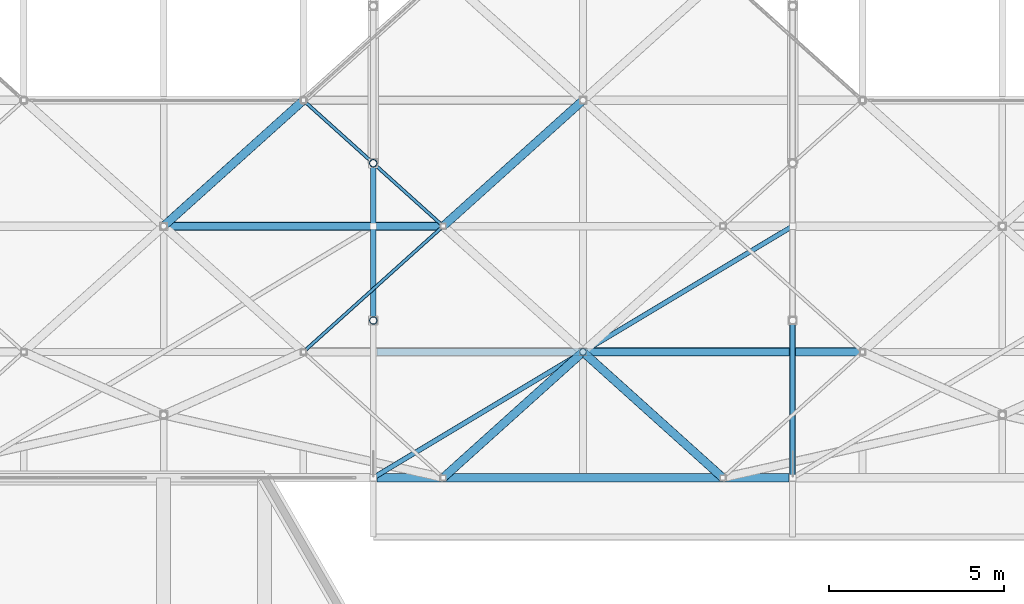
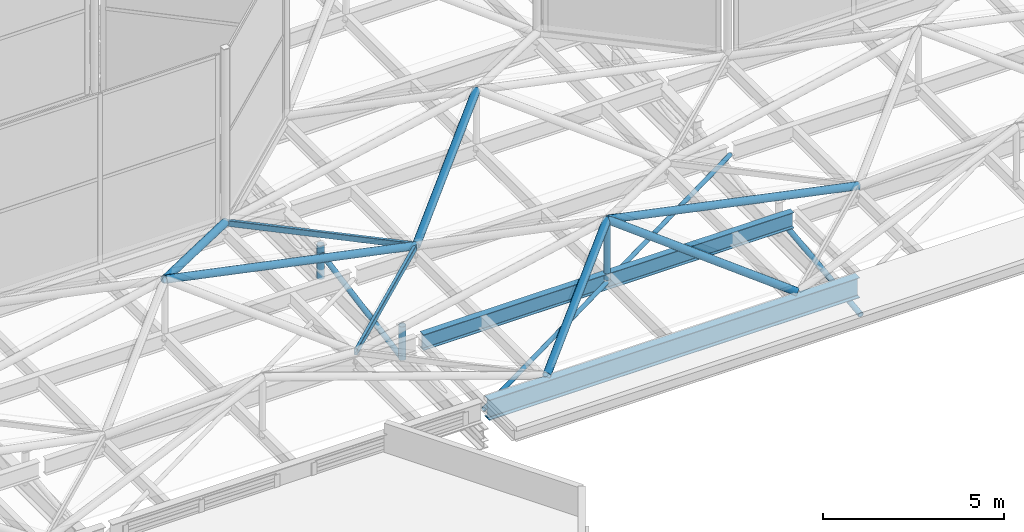
# One storey, part 18 of 239: 12 members, 4 beams.
"""IFC4 building model written with IfcOpenShell, lengths in metres."""

from ifc_helpers import new_model, si_unit, direction, frame, origin, origin_2d, place, context, subcontext, project, spatial, hollow_rectangle, hollow_circle, i_section, extrude, material, material_profile, profile_set, type_object, element, save


model = new_model("IFC4")

# Units and contexts
model_context = context("Model", 3, precision=1e-05, world=origin(), true_north=direction((0.0, 1.0)))
body_context = subcontext(model_context, "Body", "Model", "MODEL_VIEW")
ifc_project = project(units=[si_unit("LENGTHUNIT", "METRE"), si_unit("AREAUNIT", "SQUARE_METRE"), si_unit("VOLUMEUNIT", "CUBIC_METRE"), si_unit("PLANEANGLEUNIT", "RADIAN"), si_unit("MASSUNIT", "GRAM", prefix="KILO")], contexts=[model_context])

# Site, building, storey
site_placement = place(None, origin())
site = spatial("IfcSite", under=ifc_project, at=site_placement, CompositionType="ELEMENT")
building_placement = place(site_placement, origin())
building = spatial("IfcBuilding", under=site, at=building_placement, Name="Dunvalen Ferry Terminal", CompositionType="ELEMENT")
storey_placement = place(building_placement, frame((0.0, 0.0, 9.840087890625)))
storey = spatial("IfcBuildingStorey", under=building, at=storey_placement, Name="L02", CompositionType="ELEMENT", Elevation=9.840087890625)

# Beams
ifc_material = material(Name="Steel S355", Category="steel")
ifc_material_profile_1 = material_profile(ifc_material, hollow_rectangle(XDim=0.10009765625, YDim=0.199951171875, WallThickness=0.008056640625, InnerFilletRadius=0.008056640625, OuterFilletRadius=0.01611328125, at=origin_2d()), Name="Steel S355")
ifc_profile_set_1 = profile_set([ifc_material_profile_1], Name="Steel S355")
beam_type_1 = type_object("IfcBeamType", Name="STR-BM-RHS200", PredefinedType="BEAM", material=ifc_profile_set_1)
beam_1_placement = place(storey_placement, frame((34.0, 54.0, 1.099853515625), z_axis=(0.743285123004, 0.668974757313, 0.0), x_axis=(-0.668974757313, 0.743285123004, 0.0)))
element("IfcBeam", 1, at=beam_1_placement, inside=storey, type_object=beam_type_1, Name="HEX-13 Hexagonal Rim Beam 3", PredefinedType="BEAM", context=body_context, shape_type="SweptSolid", body=[
    extrude(hollow_rectangle(XDim=0.10009765625, YDim=0.199951171875, WallThickness=0.008056640625, InnerFilletRadius=0.008056640625, OuterFilletRadius=0.01611328125, at=origin_2d()), origin(), (0.0, 0.0, 1.0), 5.381591796875),
])
beam_2_placement = place(storey_placement, frame((38.0, 57.60009765625, 1.099853515625), z_axis=(-0.74330768127, 0.668949692402, 0.0), x_axis=(-0.668949692402, -0.74330768127, 0.0)))
element("IfcBeam", 2, at=beam_2_placement, inside=storey, type_object=beam_type_1, Name="HEX-13 Hexagonal Rim Beam 4", PredefinedType="BEAM", context=body_context, shape_type="SweptSolid", body=[
    extrude(hollow_rectangle(XDim=0.10009765625, YDim=0.199951171875, WallThickness=0.008056640625, InnerFilletRadius=0.008056640625, OuterFilletRadius=0.01611328125, at=origin_2d()), origin(), (0.0, 0.0, 1.0), 5.38134765625),
])
ifc_material_profile_2 = material_profile(ifc_material, i_section(OverallWidth=0.209228515625, OverallDepth=0.533203125, WebThickness=0.010009765625, FlangeThickness=0.015625, FilletRadius=0.0126953125, at=origin_2d()), Name="Steel S355")
ifc_profile_set_2 = profile_set([ifc_material_profile_2], Name="Steel S355")
beam_type_2 = type_object("IfcBeamType", Name="STR-BM-UKB533", PredefinedType="BEAM", material=ifc_profile_set_2)
beam_3_placement = place(storey_placement, frame((36.10009765625, 54.0, 0.7333984375), z_axis=(1.0, 0.0, 0.0), x_axis=(0.0, 1.0, 0.0)))
element("IfcBeam", 3, at=beam_3_placement, inside=storey, type_object=beam_type_2, Name="Departure Hall Spine Girder B3.02", PredefinedType="BEAM", context=body_context, shape_type="SweptSolid", body=[
    extrude(i_section(OverallWidth=0.209228515625, OverallDepth=0.533203125, WebThickness=0.010009765625, FlangeThickness=0.015625, FilletRadius=0.0126953125, at=origin_2d()), origin(), (0.0, 0.0, 1.0), 11.7998046875),
])
ifc_material_profile_3 = material_profile(ifc_material, i_section(OverallWidth=0.253662109375, OverallDepth=0.68359375, WebThickness=0.012451171875, FlangeThickness=0.01904296875, FilletRadius=0.01513671875, at=origin_2d()), Name="Steel S355")
ifc_profile_set_3 = profile_set([ifc_material_profile_3], Name="Steel S355")
beam_type_3 = type_object("IfcBeamType", Name="STR-BM-UKB686", PredefinedType="BEAM", material=ifc_profile_set_3)
beam_4_placement = place(storey_placement, frame((36.10009765625, 50.39990234375, 0.658203125), z_axis=(1.0, 0.0, 0.0), x_axis=(0.0, 1.0, 0.0)))
element("IfcBeam", 4, at=beam_4_placement, inside=storey, type_object=beam_type_3, Name="Departure Hall Spine Girder B3.01", PredefinedType="BEAM", context=body_context, shape_type="SweptSolid", body=[
    extrude(i_section(OverallWidth=0.253662109375, OverallDepth=0.68359375, WebThickness=0.012451171875, FlangeThickness=0.01904296875, FilletRadius=0.01513671875, at=origin_2d()), origin(), (0.0, 0.0, 1.0), 11.7998046875),
])

# Members
ifc_material_profile_4 = material_profile(ifc_material, hollow_circle(Radius=0.06982421875, WallThickness=0.00634765625, at=origin_2d()), Name="Steel S355")
ifc_profile_set_4 = profile_set([ifc_material_profile_4], Name="Steel S355")
member_type_1 = type_object("IfcMemberType", Name="STR-MB-CHS139", PredefinedType="BRACE", material=ifc_profile_set_4)
member_1_placement = place(storey_placement, frame((36.0, 50.39990234375, 0.659912109375), z_axis=(0.857486768376, 0.514506017516, 0.0), x_axis=(-0.514506017516, 0.857486768376, 0.0)))
element("IfcMember", 5, at=member_1_placement, inside=storey, type_object=member_type_1, Name="Departure Hall Roof Wind Brace 3A", PredefinedType="BRACE", context=body_context, shape_type="SweptSolid", body=[
    extrude(hollow_circle(Radius=0.06982421875, WallThickness=0.00634765625, at=origin_2d()), origin(), (0.0, 0.0, 1.0), 13.994384765625),
])
ifc_material_profile_5 = material_profile(ifc_material, hollow_circle(Radius=0.084228515625, WallThickness=0.008056640625, at=origin_2d()), Name="Steel S355")
ifc_profile_set_5 = profile_set([ifc_material_profile_5], Name="Steel S355")
member_type_2 = type_object("IfcMemberType", Name="STR-MB-CHS168", PredefinedType="BRACE", material=ifc_profile_set_5)
member_2_placement = place(storey_placement, frame((36.0, 54.89990234375, -0.360107421875), z_axis=(0.0, 0.983218272848, 0.18243307797), x_axis=(-1.0, 0.0, 0.0)))
element("IfcMember", 6, at=member_2_placement, inside=storey, type_object=member_type_2, Name="Departure Hall Arch Web Diagonal 03.2", PredefinedType="BRACE", context=body_context, shape_type="SweptSolid", body=[
    extrude(hollow_circle(Radius=0.084228515625, WallThickness=0.008056640625, at=origin_2d()), origin(), (0.0, 0.0, 1.0), 4.576904296875),
])
member_3_placement = place(storey_placement, frame((48.0, 50.39990234375, -0.360107421875), z_axis=(0.0, 0.993166043245, 0.116709941931), x_axis=(-1.0, 0.0, 0.0)))
element("IfcMember", 7, at=member_3_placement, inside=storey, type_object=member_type_2, Name="Departure Hall Arch Web Diagonal 04.1", PredefinedType="BRACE", context=body_context, shape_type="SweptSolid", body=[
    extrude(hollow_circle(Radius=0.084228515625, WallThickness=0.008056640625, at=origin_2d()), origin(), (0.0, 0.0, 1.0), 4.531005859375),
])
ifc_material_profile_6 = material_profile(ifc_material, hollow_circle(Radius=0.096923828125, WallThickness=0.008056640625, at=origin_2d()), Name="Steel S355")
ifc_profile_set_6 = profile_set([ifc_material_profile_6], Name="Steel S355")
member_type_3 = type_object("IfcMemberType", Name="STR-MB-CHS193", PredefinedType="STRUT", material=ifc_profile_set_6)
member_4_placement = place(storey_placement, frame((42.0, 54.0, 0.77001953125), z_axis=(0.0, 0.0, 1.0), x_axis=(1.0, 0.0, 0.0)))
element("IfcMember", 8, at=member_4_placement, inside=storey, type_object=member_type_3, Name="HEX-18 Pyramid Apex Strut", PredefinedType="STRUT", context=body_context, shape_type="SweptSolid", body=[
    extrude(hollow_circle(Radius=0.096923828125, WallThickness=0.008056640625, at=origin_2d()), origin(), (0.0, 0.0, 1.0), 1.994873046875),
])
ifc_material_profile_7 = material_profile(ifc_material, hollow_circle(Radius=0.109619140625, WallThickness=0.010009765625, at=origin_2d()), Name="Steel S355")
ifc_profile_set_7 = profile_set([ifc_material_profile_7], Name="Steel S355")
member_type_4 = type_object("IfcMemberType", Name="STR-MB-CHS219", PredefinedType="STRUT", material=ifc_profile_set_7)
for number, where, z_axis, x_axis, name in (
    (9, (36.0, 54.89990234375, -0.360107421875), (0.0, 0.0, 1.0), (1.0, 0.0, 0.0), "Departure Hall Arch Spandrel Strut 03.1"),
    (10, (36.0, 59.39990234375, -0.360107421875), (0.0, 0.0, 1.0), (1.0, 0.0, 0.0), "Departure Hall Arch Spandrel Strut 03.2"),
):
    element("IfcMember", number, at=place(storey_placement, frame(where, z_axis=z_axis, x_axis=x_axis)), inside=storey, type_object=member_type_4, Name=name, PredefinedType="STRUT", context=body_context, shape_type="SweptSolid", body=[
        extrude(hollow_circle(Radius=0.109619140625, WallThickness=0.010009765625, at=origin_2d()), origin(), (0.0, 0.0, 1.0), 1.130126953125),
    ])
ifc_material_profile_8 = material_profile(ifc_material, hollow_circle(Radius=0.122314453125, WallThickness=0.010009765625, at=origin_2d()), Name="Steel S355")
ifc_profile_set_8 = profile_set([ifc_material_profile_8], Name="Steel S355")
member_type_5 = type_object("IfcMemberType", Name="STR-MB-CHS244", PredefinedType="STRUT", material=ifc_profile_set_8)
member_5_placement = place(storey_placement, frame((38.0, 57.60009765625, 1.099853515625), z_axis=(-0.979020171275, 0.0, 0.203763353518), x_axis=(0.0, -1.0, 0.0)))
element("IfcMember", 11, at=member_5_placement, inside=storey, type_object=member_type_5, Name="HEX-13 Pyramid Hip Rafter 4", PredefinedType="STRUT", context=body_context, shape_type="SweptSolid", body=[
    extrude(hollow_circle(Radius=0.122314453125, WallThickness=0.010009765625, at=origin_2d()), origin(), (0.0, 0.0, 1.0), 8.17138671875),
])
member_6_placement = place(storey_placement, frame((34.0, 61.199951171875, 1.099853515625), z_axis=(-0.710094348105, -0.639058908863, 0.295583706914), x_axis=(0.668949692402, -0.74330768127, 0.0)))
element("IfcMember", 12, at=member_6_placement, inside=storey, type_object=member_type_5, Name="HEX-13 Pyramid Hip Rafter 5", PredefinedType="STRUT", context=body_context, shape_type="SweptSolid", body=[
    extrude(hollow_circle(Radius=0.122314453125, WallThickness=0.010009765625, at=origin_2d()), origin(), (0.0, 0.0, 1.0), 5.633056640625),
])
for number, where, z_axis, x_axis, name in (
    (13, (38.0, 50.39990234375, 1.099853515625), (0.710074680578, 0.639084548328, 0.295575520114), (-0.668974757313, 0.743285123004, 0.0), "HEX-18 Pyramid Hip Rafter 2"),
    (14, (46.0, 50.39990234375, 1.099853515625), (-0.710074680578, 0.639084548328, 0.295575520114), (-0.668974757313, -0.743285123004, 0.0), "HEX-18 Pyramid Hip Rafter 3"),
):
    element("IfcMember", number, at=place(storey_placement, frame(where, z_axis=z_axis, x_axis=x_axis)), inside=storey, type_object=member_type_5, Name=name, PredefinedType="STRUT", context=body_context, shape_type="SweptSolid", body=[
        extrude(hollow_circle(Radius=0.122314453125, WallThickness=0.010009765625, at=origin_2d()), origin(), (0.0, 0.0, 1.0), 5.63330078125),
    ])
member_7_placement = place(storey_placement, frame((50.0, 54.0, 1.099853515625), z_axis=(-0.979020171275, 0.0, 0.203763353518), x_axis=(0.0, -1.0, 0.0)))
element("IfcMember", 15, at=member_7_placement, inside=storey, type_object=member_type_5, Name="HEX-18 Pyramid Hip Rafter 4", PredefinedType="STRUT", context=body_context, shape_type="SweptSolid", body=[
    extrude(hollow_circle(Radius=0.122314453125, WallThickness=0.010009765625, at=origin_2d()), origin(), (0.0, 0.0, 1.0), 8.17138671875),
])
member_8_placement = place(storey_placement, frame((38.0, 57.60009765625, 1.099853515625), z_axis=(0.710094348105, 0.639058908863, 0.295583706914), x_axis=(-0.668949692402, 0.74330768127, 0.0)))
element("IfcMember", 16, at=member_8_placement, inside=storey, type_object=member_type_5, Name="HEX-19 Pyramid Hip Rafter 2", PredefinedType="STRUT", context=body_context, shape_type="SweptSolid", body=[
    extrude(hollow_circle(Radius=0.122314453125, WallThickness=0.010009765625, at=origin_2d()), origin(), (0.0, 0.0, 1.0), 5.633056640625),
])

save(model, "model.ifc")
